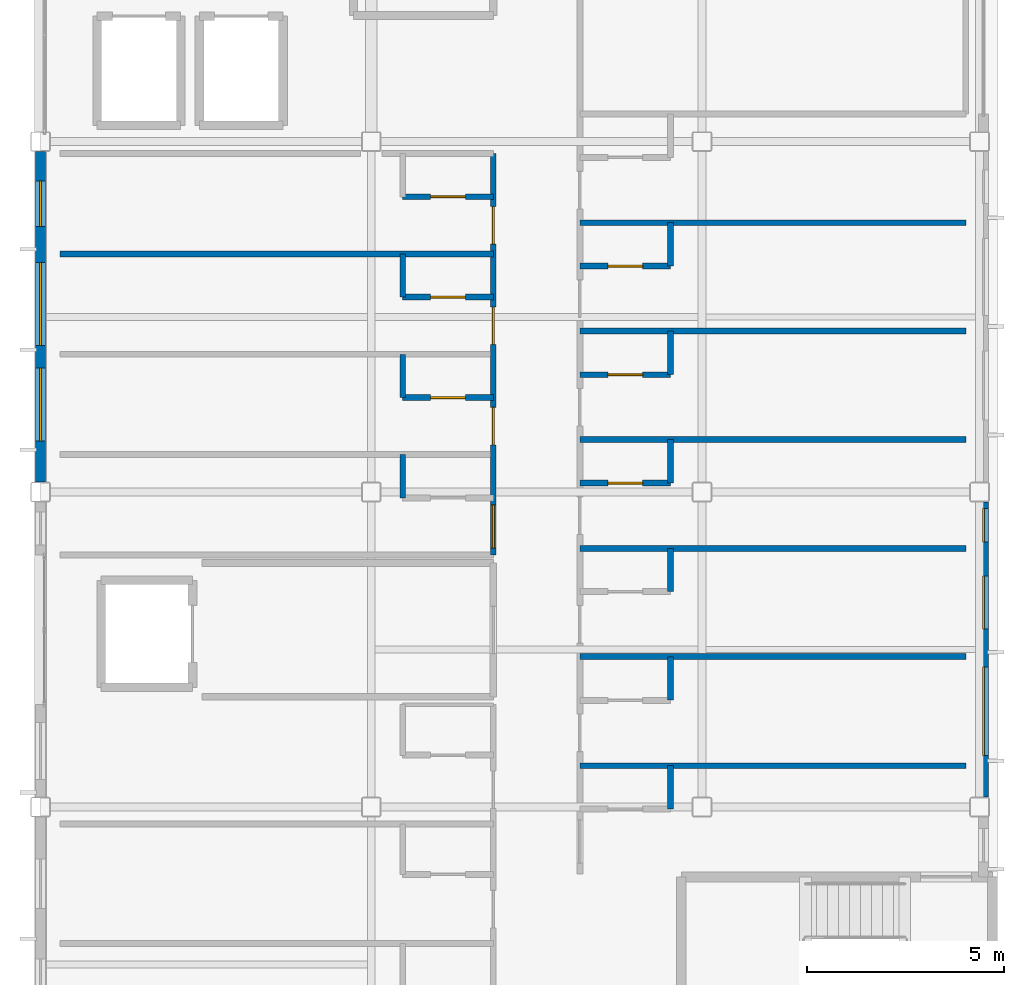
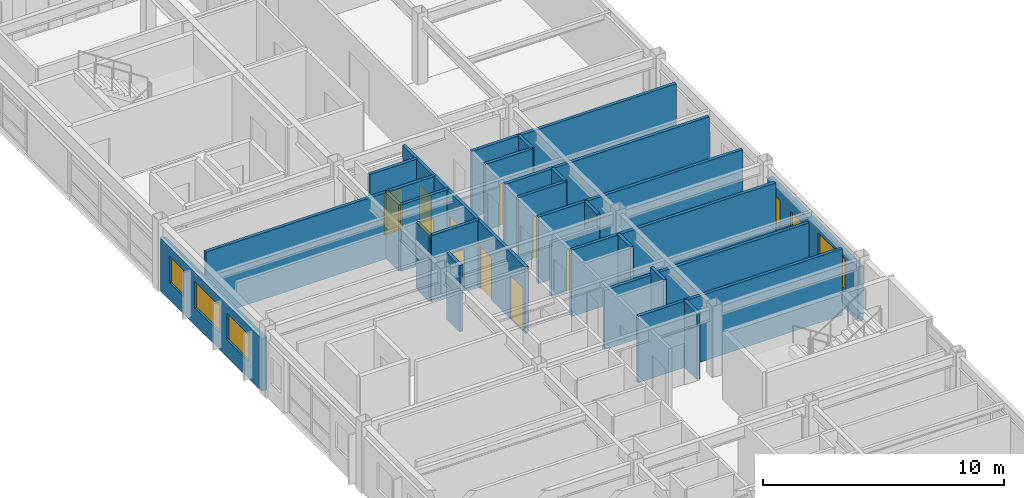
# One storey, part 25 of 35: 25 walls, 10 doors, 6 windows, 16 openings.
"""IFC4 building model written with IfcOpenShell, lengths in metres."""

from ifc_helpers import new_model, si_unit, direction, frame, frame_2d, origin, place, context, subcontext, project, spatial, rectangle, extrude, material, layer, layer_set, type_object, element, fill, save


model = new_model("IFC4")

# Units and contexts
model_context = context("Model", 3, precision=1e-05, world=origin(), true_north=direction((0.0, 1.0)))
body_context = subcontext(model_context, "Body", "Model", "MODEL_VIEW")
ifc_project = project(units=[si_unit("LENGTHUNIT", "METRE"), si_unit("AREAUNIT", "SQUARE_METRE"), si_unit("VOLUMEUNIT", "CUBIC_METRE"), si_unit("PLANEANGLEUNIT", "RADIAN"), si_unit("MASSUNIT", "GRAM", prefix="KILO")], contexts=[model_context])

# Site, building, storey
site_placement = place(None, origin())
site = spatial("IfcSite", under=ifc_project, at=site_placement, CompositionType="ELEMENT")
building_placement = place(site_placement, origin())
building = spatial("IfcBuilding", under=site, at=building_placement, Name="Kazehara Bluff Congress Hotel", CompositionType="ELEMENT")
storey_placement = place(building_placement, frame((0.0, 0.0, 35.39990234375)))
storey = spatial("IfcBuildingStorey", under=building, at=storey_placement, Name="L08", CompositionType="ELEMENT", Elevation=35.39990234375)

# Wall, openings, windows
ifc_material_1 = material(Name="Precast concrete C40/50", Category="concrete")
ifc_layer_1 = layer(ifc_material_1, 0.260009765625)
ifc_layer_set_1 = layer_set([ifc_layer_1], Name="Precast concrete C40/50")
wall_type_1 = type_object("IfcWallType", Name="TP-EW-260", PredefinedType="SOLIDWALL", material=ifc_layer_set_1)
wall_1_placement = place(storey_placement, frame((167.64990234375, 31.75, 0.0), z_axis=(0.0, 0.0, 1.0), x_axis=(0.0, -1.0, 0.0)))
wall_1 = element("IfcWall", 1, at=wall_1_placement, inside=storey, type_object=wall_type_1, Name="L08 hotel facade panel 111", PredefinedType="SOLIDWALL", context=body_context, shape_type="SweptSolid", body=[
    extrude(rectangle(XDim=7.5, YDim=0.260009765625, at=frame_2d((3.75, 0.0))), origin(), (0.0, 0.0, 1.0), 2.755126953125),
])
opening_1_placement = place(wall_1_placement, frame((4.18994140625, 0.0, 0.85009765625)))
opening_1 = element("IfcOpeningElement", 2, at=opening_1_placement, cuts=wall_1, Name="Opening WN-53", PredefinedType="OPENING", context=body_context, shape_type="SweptSolid", body=[
    extrude(rectangle(XDim=2.25, YDim=1.64990234375, at=frame_2d((1.125, 0.824951171875))), frame((0.0, 0.139892578125, 0.0), z_axis=(0.0, -1.0, 0.0), x_axis=(1.0, 0.0, 0.0)), (0.0, 0.0, 1.0), 0.280029296875),
])
opening_2_placement = place(wall_1_placement, frame((1.8798828125, 0.0, 0.85009765625)))
opening_2 = element("IfcOpeningElement", 3, at=opening_2_placement, cuts=wall_1, Name="Opening WN-11", PredefinedType="OPENING", context=body_context, shape_type="SweptSolid", body=[
    extrude(rectangle(XDim=1.35009765625, YDim=1.35009765625, at=frame_2d((0.675048828125, 0.675048828125))), frame((0.0, 0.139892578125, 0.0), z_axis=(0.0, -1.0, 0.0), x_axis=(1.0, 0.0, 0.0)), (0.0, 0.0, 1.0), 0.280029296875),
])
opening_3_placement = place(wall_1_placement, frame((0.1650390625, 0.0, 0.85009765625)))
opening_3 = element("IfcOpeningElement", 4, at=opening_3_placement, cuts=wall_1, Name="Opening WN-55", PredefinedType="OPENING", context=body_context, shape_type="SweptSolid", body=[
    extrude(rectangle(XDim=0.85009765625, YDim=1.35009765625, at=frame_2d((0.425048828125, 0.675048828125))), frame((0.0, 0.139892578125, 0.0), z_axis=(0.0, -1.0, 0.0), x_axis=(1.0, 0.0, 0.0)), (0.0, 0.0, 1.0), 0.280029296875),
])
ifc_material_2 = material(Name="Insulated low-E double glazing", Category="glass")
window_type_1 = type_object("IfcWindowType", Name="TP-WN-11", PartitioningType="SINGLE_PANEL", PredefinedType="WINDOW", material=ifc_material_2)
window_1_placement = place(opening_2_placement, origin())
window_1 = element("IfcWindow", 5, at=window_1_placement, inside=storey, type_object=window_type_1, Name="L08 guestroom window WN-11 214", OverallHeight=1.35009765625, OverallWidth=1.35009765625, PartitioningType="SINGLE_PANEL", PredefinedType="WINDOW", context=body_context, shape_type="SweptSolid", body=[
    extrude(rectangle(XDim=1.35009765625, YDim=1.35009765625, at=frame_2d((0.675048828125, 0.675048828125))), frame((0.0, 0.030029296875, 0.0), z_axis=(0.0, -1.0, 0.0), x_axis=(1.0, 0.0, 0.0)), (0.0, 0.0, 1.0), 0.06005859375),
])
fill(opening_2, window_1)
ifc_material_3 = material(Name="Insulated low-E double glazing", Category="glass")
window_type_2 = type_object("IfcWindowType", Name="TP-WN-53", PartitioningType="DOUBLE_PANEL_VERTICAL", PredefinedType="WINDOW", material=ifc_material_3)
window_2_placement = place(opening_1_placement, origin())
window_2 = element("IfcWindow", 6, at=window_2_placement, inside=storey, type_object=window_type_2, Name="L08 guestroom window WN-53 213", OverallHeight=1.64990234375, OverallWidth=2.25, PartitioningType="SINGLE_PANEL", PredefinedType="WINDOW", context=body_context, shape_type="SweptSolid", body=[
    extrude(rectangle(XDim=2.25, YDim=1.64990234375, at=frame_2d((1.125, 0.824951171875))), frame((0.0, 0.030029296875, 0.0), z_axis=(0.0, -1.0, 0.0), x_axis=(1.0, 0.0, 0.0)), (0.0, 0.0, 1.0), 0.06005859375),
])
fill(opening_1, window_2)
ifc_material_4 = material(Name="Insulated low-E double glazing", Category="glass")
window_type_3 = type_object("IfcWindowType", Name="TP-WN-55", PartitioningType="SINGLE_PANEL", PredefinedType="WINDOW", material=ifc_material_4)
window_3_placement = place(opening_3_placement, origin())
window_3 = element("IfcWindow", 7, at=window_3_placement, inside=storey, type_object=window_type_3, Name="L08 guestroom window WN-55 215", OverallHeight=1.35009765625, OverallWidth=0.85009765625, PartitioningType="SINGLE_PANEL", PredefinedType="WINDOW", context=body_context, shape_type="SweptSolid", body=[
    extrude(rectangle(XDim=0.85009765625, YDim=1.35009765625, at=frame_2d((0.425048828125, 0.675048828125))), frame((0.0, 0.030029296875, 0.0), z_axis=(0.0, -1.0, 0.0), x_axis=(1.0, 0.0, 0.0)), (0.0, 0.0, 1.0), 0.06005859375),
])
fill(opening_3, window_3)

wall_2_placement = place(storey_placement, frame((143.699951171875, 32.25, 0.0), z_axis=(0.0, 0.0, 1.0), x_axis=(0.0, 1.0, 0.0)))
wall_2 = element("IfcWall", 8, at=wall_2_placement, inside=storey, type_object=wall_type_1, Name="L08 hotel facade panel 124", PredefinedType="SOLIDWALL", context=body_context, shape_type="SweptSolid", body=[
    extrude(rectangle(XDim=8.39990234375, YDim=0.260009765625, at=frame_2d((4.199951171875, 0.0))), origin(), (0.0, 0.0, 1.0), 2.655029296875),
])
opening_4_placement = place(wall_2_placement, frame((1.050048828125, 0.0, 0.85009765625)))
opening_4 = element("IfcOpeningElement", 9, at=opening_4_placement, cuts=wall_2, Name="Opening WN-36", PredefinedType="OPENING", context=body_context, shape_type="SweptSolid", body=[
    extrude(rectangle(XDim=1.85009765625, YDim=1.35009765625, at=frame_2d((0.925048828125, 0.675048828125))), frame((0.0, 0.139892578125, 0.0), z_axis=(0.0, -1.0, 0.0), x_axis=(1.0, 0.0, 0.0)), (0.0, 0.0, 1.0), 0.280029296875),
])
opening_5_placement = place(wall_2_placement, frame((3.47509765625, 0.0, 0.85009765625)))
opening_5 = element("IfcOpeningElement", 10, at=opening_5_placement, cuts=wall_2, Name="Opening WN-46", PredefinedType="OPENING", context=body_context, shape_type="SweptSolid", body=[
    extrude(rectangle(XDim=2.10009765625, YDim=1.35009765625, at=frame_2d((1.050048828125, 0.675048828125))), frame((0.0, 0.139892578125, 0.0), z_axis=(0.0, -1.0, 0.0), x_axis=(1.0, 0.0, 0.0)), (0.0, 0.0, 1.0), 0.280029296875),
])
opening_6_placement = place(wall_2_placement, frame((6.5, 0.0, 0.85009765625)))
opening_6 = element("IfcOpeningElement", 11, at=opening_6_placement, cuts=wall_2, Name="Opening WN-01", PredefinedType="OPENING", context=body_context, shape_type="SweptSolid", body=[
    extrude(rectangle(XDim=1.14990234375, YDim=1.35009765625, at=frame_2d((0.574951171875, 0.675048828125))), frame((0.0, 0.139892578125, 0.0), z_axis=(0.0, -1.0, 0.0), x_axis=(1.0, 0.0, 0.0)), (0.0, 0.0, 1.0), 0.280029296875),
])
ifc_material_5 = material(Name="Insulated low-E double glazing", Category="glass")
window_type_4 = type_object("IfcWindowType", Name="TP-WN-01", PartitioningType="SINGLE_PANEL", PredefinedType="WINDOW", material=ifc_material_5)
window_4_placement = place(opening_6_placement, origin())
window_4 = element("IfcWindow", 12, at=window_4_placement, inside=storey, type_object=window_type_4, Name="L08 guestroom window WN-01 241", OverallHeight=1.35009765625, OverallWidth=1.14990234375, PartitioningType="SINGLE_PANEL", PredefinedType="WINDOW", context=body_context, shape_type="SweptSolid", body=[
    extrude(rectangle(XDim=1.14990234375, YDim=1.35009765625, at=frame_2d((0.574951171875, 0.675048828125))), frame((0.0, 0.030029296875, 0.0), z_axis=(0.0, -1.0, 0.0), x_axis=(1.0, 0.0, 0.0)), (0.0, 0.0, 1.0), 0.06005859375),
])
fill(opening_6, window_4)
ifc_material_6 = material(Name="Insulated low-E double glazing", Category="glass")
window_type_5 = type_object("IfcWindowType", Name="TP-WN-36", PartitioningType="DOUBLE_PANEL_VERTICAL", PredefinedType="WINDOW", material=ifc_material_6)
window_5_placement = place(opening_4_placement, origin())
window_5 = element("IfcWindow", 13, at=window_5_placement, inside=storey, type_object=window_type_5, Name="L08 guestroom window WN-36 239", OverallHeight=1.35009765625, OverallWidth=1.85009765625, PartitioningType="SINGLE_PANEL", PredefinedType="WINDOW", context=body_context, shape_type="SweptSolid", body=[
    extrude(rectangle(XDim=1.85009765625, YDim=1.35009765625, at=frame_2d((0.925048828125, 0.675048828125))), frame((0.0, 0.030029296875, 0.0), z_axis=(0.0, -1.0, 0.0), x_axis=(1.0, 0.0, 0.0)), (0.0, 0.0, 1.0), 0.06005859375),
])
fill(opening_4, window_5)
ifc_material_7 = material(Name="Insulated low-E double glazing", Category="glass")
window_type_6 = type_object("IfcWindowType", Name="TP-WN-46", PartitioningType="DOUBLE_PANEL_VERTICAL", PredefinedType="WINDOW", material=ifc_material_7)
window_6_placement = place(opening_5_placement, origin())
window_6 = element("IfcWindow", 14, at=window_6_placement, inside=storey, type_object=window_type_6, Name="L08 guestroom window WN-46 240", OverallHeight=1.35009765625, OverallWidth=2.10009765625, PartitioningType="SINGLE_PANEL", PredefinedType="WINDOW", context=body_context, shape_type="SweptSolid", body=[
    extrude(rectangle(XDim=2.10009765625, YDim=1.35009765625, at=frame_2d((1.050048828125, 0.675048828125))), frame((0.0, 0.030029296875, 0.0), z_axis=(0.0, -1.0, 0.0), x_axis=(1.0, 0.0, 0.0)), (0.0, 0.0, 1.0), 0.06005859375),
])
fill(opening_5, window_6)

# Walls
ifc_material_8 = material(Name="Fire-rated gypsum board stud partition")
ifc_layer_2 = layer(ifc_material_8, 0.14990234375)
ifc_layer_set_2 = layer_set([ifc_layer_2], Name="Fire-rated gypsum board stud partition")
wall_type_2 = type_object("IfcWallType", Name="TP-PT-150", PredefinedType="PARTITIONING", material=ifc_layer_set_2)
wall_3_placement = place(storey_placement, frame((157.39990234375, 25.050048828125, 0.0), z_axis=(0.0, 0.0, 1.0), x_axis=(1.0, 0.0, 0.0)))
element("IfcWall", 15, at=wall_3_placement, inside=storey, type_object=wall_type_2, Name="L08 partition PT-150 1028", PredefinedType="PARTITIONING", context=body_context, shape_type="SweptSolid", body=[
    extrude(rectangle(XDim=9.800048828125, YDim=0.14990234375, at=frame_2d((4.89990234375, 0.0))), origin(), (0.0, 0.0, 1.0), 3.364990234375),
])
wall_4_placement = place(storey_placement, frame((157.39990234375, 27.820068359375, 0.0), z_axis=(0.0, 0.0, 1.0), x_axis=(1.0, 0.0, 0.0)))
element("IfcWall", 16, at=wall_4_placement, inside=storey, type_object=wall_type_2, Name="L08 partition PT-150 1033", PredefinedType="PARTITIONING", context=body_context, shape_type="SweptSolid", body=[
    extrude(rectangle(XDim=9.800048828125, YDim=0.14990234375, at=frame_2d((4.89990234375, 0.0))), origin(), (0.0, 0.0, 1.0), 3.005126953125),
])
wall_5_placement = place(storey_placement, frame((157.39990234375, 30.570068359375, 0.0), z_axis=(0.0, 0.0, 1.0), x_axis=(1.0, 0.0, 0.0)))
element("IfcWall", 17, at=wall_5_placement, inside=storey, type_object=wall_type_2, Name="L08 partition PT-150 1037", PredefinedType="PARTITIONING", context=body_context, shape_type="SweptSolid", body=[
    extrude(rectangle(XDim=9.800048828125, YDim=0.14990234375, at=frame_2d((4.89990234375, 0.0))), origin(), (0.0, 0.0, 1.0), 3.364990234375),
])

# Wall, opening, door
wall_6_placement = place(storey_placement, frame((157.39990234375, 32.22998046875, 0.0), z_axis=(0.0, 0.0, 1.0), x_axis=(1.0, 0.0, 0.0)))
wall_6 = element("IfcWall", 18, at=wall_6_placement, inside=storey, type_object=wall_type_2, Name="L08 partition PT-150 1039", PredefinedType="PARTITIONING", context=body_context, shape_type="SweptSolid", body=[
    extrude(rectangle(XDim=2.300048828125, YDim=0.14990234375, at=frame_2d((1.14990234375, 0.0))), origin(), (0.0, 0.0, 1.0), 2.755126953125),
])
opening_7_placement = place(wall_6_placement, frame((0.7099609375, 0.0, 0.0)))
opening_7 = element("IfcOpeningElement", 19, at=opening_7_placement, cuts=wall_6, Name="Opening BD-02", PredefinedType="OPENING", context=body_context, shape_type="SweptSolid", body=[
    extrude(rectangle(XDim=0.8798828125, YDim=2.1201171875, at=frame_2d((0.43994140625, 1.06005859375))), frame((0.0, 0.0849609375, 0.0), z_axis=(0.0, -1.0, 0.0), x_axis=(1.0, 0.0, 0.0)), (0.0, 0.0, 1.0), 0.169921875),
])
ifc_material_9 = material(Name="Architectural oak veneer leaf")
door_type_1 = type_object("IfcDoorType", Name="TP-BD-02", OperationType="NOTDEFINED", PredefinedType="DOOR", material=ifc_material_9)
door_1_placement = place(opening_7_placement, origin())
door_1 = element("IfcDoor", 20, at=door_1_placement, inside=storey, type_object=door_type_1, Name="L08 En-suite Bathroom 236 door", OperationType="SINGLE_SWING_LEFT", OverallHeight=2.1201171875, OverallWidth=0.8798828125, PredefinedType="DOOR", context=body_context, shape_type="SweptSolid", body=[
    extrude(rectangle(XDim=0.8798828125, YDim=2.1201171875, at=frame_2d((0.43994140625, 1.06005859375))), frame((0.0, 0.02490234375, 0.0), z_axis=(0.0, -1.0, 0.0), x_axis=(1.0, 0.0, 0.0)), (0.0, 0.0, 1.0), 0.050048828125),
])
fill(opening_7, door_1)

# Wall
wall_7_placement = place(storey_placement, frame((157.39990234375, 33.330078125, 0.0), z_axis=(0.0, 0.0, 1.0), x_axis=(1.0, 0.0, 0.0)))
element("IfcWall", 21, at=wall_7_placement, inside=storey, type_object=wall_type_2, Name="L08 partition PT-150 1041", PredefinedType="PARTITIONING", context=body_context, shape_type="SweptSolid", body=[
    extrude(rectangle(XDim=9.800048828125, YDim=0.14990234375, at=frame_2d((4.89990234375, 0.0))), origin(), (0.0, 0.0, 1.0), 3.364990234375),
])

# Wall, opening, door
wall_8_placement = place(storey_placement, frame((152.89990234375, 34.39990234375, 0.0), z_axis=(0.0, 0.0, 1.0), x_axis=(1.0, 0.0, 0.0)))
wall_8 = element("IfcWall", 22, at=wall_8_placement, inside=storey, type_object=wall_type_2, Name="L08 partition PT-150 1042", PredefinedType="PARTITIONING", context=body_context, shape_type="SweptSolid", body=[
    extrude(rectangle(XDim=2.300048828125, YDim=0.14990234375, at=frame_2d((1.14990234375, 0.0))), origin(), (0.0, 0.0, 1.0), 3.364990234375),
])
opening_8_placement = place(wall_8_placement, frame((0.7099609375, 0.0, 0.0)))
opening_8 = element("IfcOpeningElement", 23, at=opening_8_placement, cuts=wall_8, Name="Opening BD-02", PredefinedType="OPENING", context=body_context, shape_type="SweptSolid", body=[
    extrude(rectangle(XDim=0.8798828125, YDim=2.1201171875, at=frame_2d((0.43994140625, 1.06005859375))), frame((0.0, 0.0849609375, 0.0), z_axis=(0.0, -1.0, 0.0), x_axis=(1.0, 0.0, 0.0)), (0.0, 0.0, 1.0), 0.169921875),
])
door_2_placement = place(opening_8_placement, origin())
door_2 = element("IfcDoor", 24, at=door_2_placement, inside=storey, type_object=door_type_1, Name="L08 En-suite Bathroom 216 door", OperationType="SINGLE_SWING_LEFT", OverallHeight=2.1201171875, OverallWidth=0.8798828125, PredefinedType="DOOR", context=body_context, shape_type="SweptSolid", body=[
    extrude(rectangle(XDim=0.8798828125, YDim=2.1201171875, at=frame_2d((0.43994140625, 1.06005859375))), frame((0.0, 0.02490234375, 0.0), z_axis=(0.0, -1.0, 0.0), x_axis=(1.0, 0.0, 0.0)), (0.0, 0.0, 1.0), 0.050048828125),
])
fill(opening_8, door_2)

wall_9_placement = place(storey_placement, frame((157.39990234375, 34.97998046875, 0.0), z_axis=(0.0, 0.0, 1.0), x_axis=(1.0, 0.0, 0.0)))
wall_9 = element("IfcWall", 25, at=wall_9_placement, inside=storey, type_object=wall_type_2, Name="L08 partition PT-150 1043", PredefinedType="PARTITIONING", context=body_context, shape_type="SweptSolid", body=[
    extrude(rectangle(XDim=2.300048828125, YDim=0.14990234375, at=frame_2d((1.14990234375, 0.0))), origin(), (0.0, 0.0, 1.0), 3.364990234375),
])
opening_9_placement = place(wall_9_placement, frame((0.7099609375, 0.0, 0.0)))
opening_9 = element("IfcOpeningElement", 26, at=opening_9_placement, cuts=wall_9, Name="Opening BD-02", PredefinedType="OPENING", context=body_context, shape_type="SweptSolid", body=[
    extrude(rectangle(XDim=0.8798828125, YDim=2.1201171875, at=frame_2d((0.43994140625, 1.06005859375))), frame((0.0, 0.0849609375, 0.0), z_axis=(0.0, -1.0, 0.0), x_axis=(1.0, 0.0, 0.0)), (0.0, 0.0, 1.0), 0.169921875),
])
door_3_placement = place(opening_9_placement, origin())
door_3 = element("IfcDoor", 27, at=door_3_placement, inside=storey, type_object=door_type_1, Name="L08 En-suite Bathroom 237 door", OperationType="SINGLE_SWING_LEFT", OverallHeight=2.1201171875, OverallWidth=0.8798828125, PredefinedType="DOOR", context=body_context, shape_type="SweptSolid", body=[
    extrude(rectangle(XDim=0.8798828125, YDim=2.1201171875, at=frame_2d((0.43994140625, 1.06005859375))), frame((0.0, 0.02490234375, 0.0), z_axis=(0.0, -1.0, 0.0), x_axis=(1.0, 0.0, 0.0)), (0.0, 0.0, 1.0), 0.050048828125),
])
fill(opening_9, door_3)

# Wall
wall_10_placement = place(storey_placement, frame((157.39990234375, 36.090087890625, 0.0), z_axis=(0.0, 0.0, 1.0), x_axis=(1.0, 0.0, 0.0)))
element("IfcWall", 28, at=wall_10_placement, inside=storey, type_object=wall_type_2, Name="L08 partition PT-150 1045", PredefinedType="PARTITIONING", context=body_context, shape_type="SweptSolid", body=[
    extrude(rectangle(XDim=9.800048828125, YDim=0.14990234375, at=frame_2d((4.89990234375, 0.0))), origin(), (0.0, 0.0, 1.0), 3.364990234375),
])

# Wall, opening, door
wall_11_placement = place(storey_placement, frame((152.89990234375, 36.949951171875, 0.0), z_axis=(0.0, 0.0, 1.0), x_axis=(1.0, 0.0, 0.0)))
wall_11 = element("IfcWall", 29, at=wall_11_placement, inside=storey, type_object=wall_type_2, Name="L08 partition PT-150 1046", PredefinedType="PARTITIONING", context=body_context, shape_type="SweptSolid", body=[
    extrude(rectangle(XDim=2.300048828125, YDim=0.14990234375, at=frame_2d((1.14990234375, 0.0))), origin(), (0.0, 0.0, 1.0), 3.364990234375),
])
opening_10_placement = place(wall_11_placement, frame((0.7099609375, 0.0, 0.0)))
opening_10 = element("IfcOpeningElement", 30, at=opening_10_placement, cuts=wall_11, Name="Opening BD-02", PredefinedType="OPENING", context=body_context, shape_type="SweptSolid", body=[
    extrude(rectangle(XDim=0.8798828125, YDim=2.1201171875, at=frame_2d((0.43994140625, 1.06005859375))), frame((0.0, 0.0849609375, 0.0), z_axis=(0.0, -1.0, 0.0), x_axis=(1.0, 0.0, 0.0)), (0.0, 0.0, 1.0), 0.169921875),
])
door_4_placement = place(opening_10_placement, origin())
door_4 = element("IfcDoor", 31, at=door_4_placement, inside=storey, type_object=door_type_1, Name="L08 En-suite Bathroom 217 door", OperationType="SINGLE_SWING_LEFT", OverallHeight=2.1201171875, OverallWidth=0.8798828125, PredefinedType="DOOR", context=body_context, shape_type="SweptSolid", body=[
    extrude(rectangle(XDim=0.8798828125, YDim=2.1201171875, at=frame_2d((0.43994140625, 1.06005859375))), frame((0.0, 0.02490234375, 0.0), z_axis=(0.0, -1.0, 0.0), x_axis=(1.0, 0.0, 0.0)), (0.0, 0.0, 1.0), 0.050048828125),
])
fill(opening_10, door_4)

wall_12_placement = place(storey_placement, frame((157.39990234375, 37.739990234375, 0.0), z_axis=(0.0, 0.0, 1.0), x_axis=(1.0, 0.0, 0.0)))
wall_12 = element("IfcWall", 32, at=wall_12_placement, inside=storey, type_object=wall_type_2, Name="L08 partition PT-150 1047", PredefinedType="PARTITIONING", context=body_context, shape_type="SweptSolid", body=[
    extrude(rectangle(XDim=2.300048828125, YDim=0.14990234375, at=frame_2d((1.14990234375, 0.0))), origin(), (0.0, 0.0, 1.0), 3.364990234375),
])
opening_11_placement = place(wall_12_placement, frame((0.7099609375, 0.0, 0.0)))
opening_11 = element("IfcOpeningElement", 33, at=opening_11_placement, cuts=wall_12, Name="Opening BD-02", PredefinedType="OPENING", context=body_context, shape_type="SweptSolid", body=[
    extrude(rectangle(XDim=0.8798828125, YDim=2.1201171875, at=frame_2d((0.43994140625, 1.06005859375))), frame((0.0, 0.0849609375, 0.0), z_axis=(0.0, -1.0, 0.0), x_axis=(1.0, 0.0, 0.0)), (0.0, 0.0, 1.0), 0.169921875),
])
door_5_placement = place(opening_11_placement, origin())
door_5 = element("IfcDoor", 34, at=door_5_placement, inside=storey, type_object=door_type_1, Name="L08 En-suite Bathroom 238 door", OperationType="SINGLE_SWING_LEFT", OverallHeight=2.1201171875, OverallWidth=0.8798828125, PredefinedType="DOOR", context=body_context, shape_type="SweptSolid", body=[
    extrude(rectangle(XDim=0.8798828125, YDim=2.1201171875, at=frame_2d((0.43994140625, 1.06005859375))), frame((0.0, 0.02490234375, 0.0), z_axis=(0.0, -1.0, 0.0), x_axis=(1.0, 0.0, 0.0)), (0.0, 0.0, 1.0), 0.050048828125),
])
fill(opening_11, door_5)

# Walls
wall_13_placement = place(storey_placement, frame((144.199951171875, 38.050048828125, 0.0), z_axis=(0.0, 0.0, 1.0), x_axis=(1.0, 0.0, 0.0)))
element("IfcWall", 35, at=wall_13_placement, inside=storey, type_object=wall_type_2, Name="L08 partition PT-150 1048", PredefinedType="PARTITIONING", context=body_context, shape_type="SweptSolid", body=[
    extrude(rectangle(XDim=11.0, YDim=0.14990234375, at=frame_2d((5.5, 0.0))), origin(), (0.0, 0.0, 1.0), 3.364990234375),
])
wall_14_placement = place(storey_placement, frame((157.39990234375, 38.840087890625, 0.0), z_axis=(0.0, 0.0, 1.0), x_axis=(1.0, 0.0, 0.0)))
element("IfcWall", 36, at=wall_14_placement, inside=storey, type_object=wall_type_2, Name="L08 partition PT-150 1049", PredefinedType="PARTITIONING", context=body_context, shape_type="SweptSolid", body=[
    extrude(rectangle(XDim=9.800048828125, YDim=0.14990234375, at=frame_2d((4.89990234375, 0.0))), origin(), (0.0, 0.0, 1.0), 3.364990234375),
])

# Wall, opening, door
wall_15_placement = place(storey_placement, frame((152.89990234375, 39.5, 0.0), z_axis=(0.0, 0.0, 1.0), x_axis=(1.0, 0.0, 0.0)))
wall_15 = element("IfcWall", 37, at=wall_15_placement, inside=storey, type_object=wall_type_2, Name="L08 partition PT-150 1050", PredefinedType="PARTITIONING", context=body_context, shape_type="SweptSolid", body=[
    extrude(rectangle(XDim=2.300048828125, YDim=0.14990234375, at=frame_2d((1.14990234375, 0.0))), origin(), (0.0, 0.0, 1.0), 3.364990234375),
])
opening_12_placement = place(wall_15_placement, frame((0.7099609375, 0.0, 0.0)))
opening_12 = element("IfcOpeningElement", 38, at=opening_12_placement, cuts=wall_15, Name="Opening BD-02", PredefinedType="OPENING", context=body_context, shape_type="SweptSolid", body=[
    extrude(rectangle(XDim=0.8798828125, YDim=2.1201171875, at=frame_2d((0.43994140625, 1.06005859375))), frame((0.0, 0.0849609375, 0.0), z_axis=(0.0, -1.0, 0.0), x_axis=(1.0, 0.0, 0.0)), (0.0, 0.0, 1.0), 0.169921875),
])
door_6_placement = place(opening_12_placement, origin())
door_6 = element("IfcDoor", 39, at=door_6_placement, inside=storey, type_object=door_type_1, Name="L08 En-suite Bathroom 218 door", OperationType="SINGLE_SWING_LEFT", OverallHeight=2.1201171875, OverallWidth=0.8798828125, PredefinedType="DOOR", context=body_context, shape_type="SweptSolid", body=[
    extrude(rectangle(XDim=0.8798828125, YDim=2.1201171875, at=frame_2d((0.43994140625, 1.06005859375))), frame((0.0, 0.02490234375, 0.0), z_axis=(0.0, -1.0, 0.0), x_axis=(1.0, 0.0, 0.0)), (0.0, 0.0, 1.0), 0.050048828125),
])
fill(opening_12, door_6)

# Walls
wall_16_placement = place(storey_placement, frame((152.89990234375, 31.85009765625, 0.0), z_axis=(0.0, 0.0, 1.0), x_axis=(0.0, 1.0, 0.0)))
element("IfcWall", 40, at=wall_16_placement, inside=storey, type_object=wall_type_2, Name="L08 partition PT-150 1117", PredefinedType="PARTITIONING", context=body_context, shape_type="SweptSolid", body=[
    extrude(rectangle(XDim=1.099853515625, YDim=0.14990234375, at=frame_2d((0.5498046875, 0.0))), origin(), (0.0, 0.0, 1.0), 3.364990234375),
])
for number, where, z_axis, x_axis, name in (
    (41, (152.89990234375, 34.39990234375, 0.0), (0.0, 0.0, 1.0), (0.0, 1.0, 0.0), "L08 partition PT-150 1118"),
    (42, (152.89990234375, 36.949951171875, 0.0), (0.0, 0.0, 1.0), (0.0, 1.0, 0.0), "L08 partition PT-150 1119"),
):
    element("IfcWall", number, at=place(storey_placement, frame(where, z_axis=z_axis, x_axis=x_axis)), inside=storey, type_object=wall_type_2, Name=name, PredefinedType="PARTITIONING", context=body_context, shape_type="SweptSolid", body=[
        extrude(rectangle(XDim=1.10009765625, YDim=0.14990234375, at=frame_2d((0.550048828125, 0.0))), origin(), (0.0, 0.0, 1.0), 3.364990234375),
    ])

# Wall, openings, doors
wall_17_placement = place(storey_placement, frame((155.199951171875, 30.39990234375, 0.0), z_axis=(0.0, 0.0, 1.0), x_axis=(0.0, 1.0, 0.0)))
wall_17 = element("IfcWall", 43, at=wall_17_placement, inside=storey, type_object=wall_type_2, Name="L08 partition PT-150 1134", PredefinedType="PARTITIONING", context=body_context, shape_type="SweptSolid", body=[
    extrude(rectangle(XDim=10.2001953125, YDim=0.14990234375, at=frame_2d((5.10009765625, 0.0))), origin(), (0.0, 0.0, 1.0), 3.364990234375),
])
opening_13_placement = place(wall_17_placement, frame((0.175048828125, 0.0, 0.0)))
opening_13 = element("IfcOpeningElement", 44, at=opening_13_placement, cuts=wall_17, Name="Opening GD-02", PredefinedType="OPENING", context=body_context, shape_type="SweptSolid", body=[
    extrude(rectangle(XDim=1.10009765625, YDim=2.199951171875, at=frame_2d((0.550048828125, 1.10009765625))), frame((0.0, 0.0849609375, 0.0), z_axis=(0.0, -1.0, 0.0), x_axis=(1.0, 0.0, 0.0)), (0.0, 0.0, 1.0), 0.169921875),
])
opening_14_placement = place(wall_17_placement, frame((2.800048828125, 0.0, 0.0)))
opening_14 = element("IfcOpeningElement", 45, at=opening_14_placement, cuts=wall_17, Name="Opening GD-01", PredefinedType="OPENING", context=body_context, shape_type="SweptSolid", body=[
    extrude(rectangle(XDim=0.949951171875, YDim=2.14990234375, at=frame_2d((0.47509765625, 1.074951171875))), frame((0.0, 0.0849609375, 0.0), z_axis=(0.0, -1.0, 0.0), x_axis=(1.0, 0.0, 0.0)), (0.0, 0.0, 1.0), 0.169921875),
])
opening_15_placement = place(wall_17_placement, frame((5.35009765625, 0.0, 0.0)))
opening_15 = element("IfcOpeningElement", 46, at=opening_15_placement, cuts=wall_17, Name="Opening GD-01", PredefinedType="OPENING", context=body_context, shape_type="SweptSolid", body=[
    extrude(rectangle(XDim=0.949951171875, YDim=2.14990234375, at=frame_2d((0.47509765625, 1.074951171875))), frame((0.0, 0.0849609375, 0.0), z_axis=(0.0, -1.0, 0.0), x_axis=(1.0, 0.0, 0.0)), (0.0, 0.0, 1.0), 0.169921875),
])
opening_16_placement = place(wall_17_placement, frame((7.89990234375, 0.0, 0.0)))
opening_16 = element("IfcOpeningElement", 47, at=opening_16_placement, cuts=wall_17, Name="Opening GD-01", PredefinedType="OPENING", context=body_context, shape_type="SweptSolid", body=[
    extrude(rectangle(XDim=0.949951171875, YDim=2.14990234375, at=frame_2d((0.47509765625, 1.074951171875))), frame((0.0, 0.0849609375, 0.0), z_axis=(0.0, -1.0, 0.0), x_axis=(1.0, 0.0, 0.0)), (0.0, 0.0, 1.0), 0.169921875),
])
ifc_material_10 = material(Name="Architectural oak veneer leaf")
door_type_2 = type_object("IfcDoorType", Name="TP-GD-01", OperationType="NOTDEFINED", PredefinedType="DOOR", material=ifc_material_10)
door_7_placement = place(opening_14_placement, origin())
door_7 = element("IfcDoor", 48, at=door_7_placement, inside=storey, type_object=door_type_2, Name="L08 Deluxe Twin Guest Room 216 door", OperationType="SINGLE_SWING_RIGHT", OverallHeight=2.14990234375, OverallWidth=0.949951171875, PredefinedType="DOOR", context=body_context, shape_type="SweptSolid", body=[
    extrude(rectangle(XDim=0.949951171875, YDim=2.14990234375, at=frame_2d((0.47509765625, 1.074951171875))), frame((0.0, 0.02490234375, 0.0), z_axis=(0.0, -1.0, 0.0), x_axis=(1.0, 0.0, 0.0)), (0.0, 0.0, 1.0), 0.050048828125),
])
fill(opening_14, door_7)
door_8_placement = place(opening_15_placement, origin())
door_8 = element("IfcDoor", 49, at=door_8_placement, inside=storey, type_object=door_type_2, Name="L08 Standard King Guest Room 217 door", OperationType="SINGLE_SWING_RIGHT", OverallHeight=2.14990234375, OverallWidth=0.949951171875, PredefinedType="DOOR", context=body_context, shape_type="SweptSolid", body=[
    extrude(rectangle(XDim=0.949951171875, YDim=2.14990234375, at=frame_2d((0.47509765625, 1.074951171875))), frame((0.0, 0.02490234375, 0.0), z_axis=(0.0, -1.0, 0.0), x_axis=(1.0, 0.0, 0.0)), (0.0, 0.0, 1.0), 0.050048828125),
])
fill(opening_15, door_8)
door_9_placement = place(opening_16_placement, origin())
door_9 = element("IfcDoor", 50, at=door_9_placement, inside=storey, type_object=door_type_2, Name="L08 Deluxe Twin Guest Room 218 door", OperationType="SINGLE_SWING_RIGHT", OverallHeight=2.14990234375, OverallWidth=0.949951171875, PredefinedType="DOOR", context=body_context, shape_type="SweptSolid", body=[
    extrude(rectangle(XDim=0.949951171875, YDim=2.14990234375, at=frame_2d((0.47509765625, 1.074951171875))), frame((0.0, 0.02490234375, 0.0), z_axis=(0.0, -1.0, 0.0), x_axis=(1.0, 0.0, 0.0)), (0.0, 0.0, 1.0), 0.050048828125),
])
fill(opening_16, door_9)
ifc_material_11 = material(Name="Architectural oak veneer leaf")
door_type_3 = type_object("IfcDoorType", Name="TP-GD-02", OperationType="NOTDEFINED", PredefinedType="DOOR", material=ifc_material_11)
door_10_placement = place(opening_13_placement, origin())
door_10 = element("IfcDoor", 51, at=door_10_placement, inside=storey, type_object=door_type_3, Name="L08 Executive Suite 215 door", OperationType="SINGLE_SWING_RIGHT", OverallHeight=2.199951171875, OverallWidth=1.10009765625, PredefinedType="DOOR", context=body_context, shape_type="SweptSolid", body=[
    extrude(rectangle(XDim=1.10009765625, YDim=2.199951171875, at=frame_2d((0.550048828125, 1.10009765625))), frame((0.0, 0.02490234375, 0.0), z_axis=(0.0, -1.0, 0.0), x_axis=(1.0, 0.0, 0.0)), (0.0, 0.0, 1.0), 0.050048828125),
])
fill(opening_13, door_10)

# Walls
for number, where, z_axis, x_axis, name in (
    (52, (159.699951171875, 23.955078125, 0.0), (0.0, 0.0, 1.0), (0.0, 1.0, 0.0), "L08 partition PT-150 1145"),
    (53, (159.699951171875, 26.715087890625, 0.0), (0.0, 0.0, 1.0), (0.0, 1.0, 0.0), "L08 partition PT-150 1146"),
):
    element("IfcWall", number, at=place(storey_placement, frame(where, z_axis=z_axis, x_axis=x_axis)), inside=storey, type_object=wall_type_2, Name=name, PredefinedType="PARTITIONING", context=body_context, shape_type="SweptSolid", body=[
        extrude(rectangle(XDim=1.099853515625, YDim=0.14990234375, at=frame_2d((0.5498046875, 0.0))), origin(), (0.0, 0.0, 1.0), 3.364990234375),
    ])
for number, where, z_axis, x_axis, name in (
    (54, (159.699951171875, 29.469970703125, 0.0), (0.0, 0.0, 1.0), (0.0, 1.0, 0.0), "L08 partition PT-150 1147"),
    (55, (159.699951171875, 32.22998046875, 0.0), (0.0, 0.0, 1.0), (0.0, 1.0, 0.0), "L08 partition PT-150 1148"),
):
    element("IfcWall", number, at=place(storey_placement, frame(where, z_axis=z_axis, x_axis=x_axis)), inside=storey, type_object=wall_type_2, Name=name, PredefinedType="PARTITIONING", context=body_context, shape_type="SweptSolid", body=[
        extrude(rectangle(XDim=1.10009765625, YDim=0.14990234375, at=frame_2d((0.550048828125, 0.0))), origin(), (0.0, 0.0, 1.0), 3.364990234375),
    ])
for number, where, z_axis, x_axis, name in (
    (56, (159.699951171875, 34.985107421875, 0.0), (0.0, 0.0, 1.0), (0.0, 1.0, 0.0), "L08 partition PT-150 1149"),
    (57, (159.699951171875, 37.7451171875, 0.0), (0.0, 0.0, 1.0), (0.0, 1.0, 0.0), "L08 partition PT-150 1150"),
):
    element("IfcWall", number, at=place(storey_placement, frame(where, z_axis=z_axis, x_axis=x_axis)), inside=storey, type_object=wall_type_2, Name=name, PredefinedType="PARTITIONING", context=body_context, shape_type="SweptSolid", body=[
        extrude(rectangle(XDim=1.099853515625, YDim=0.14990234375, at=frame_2d((0.5498046875, 0.0))), origin(), (0.0, 0.0, 1.0), 3.364990234375),
    ])

save(model, "model.ifc")
